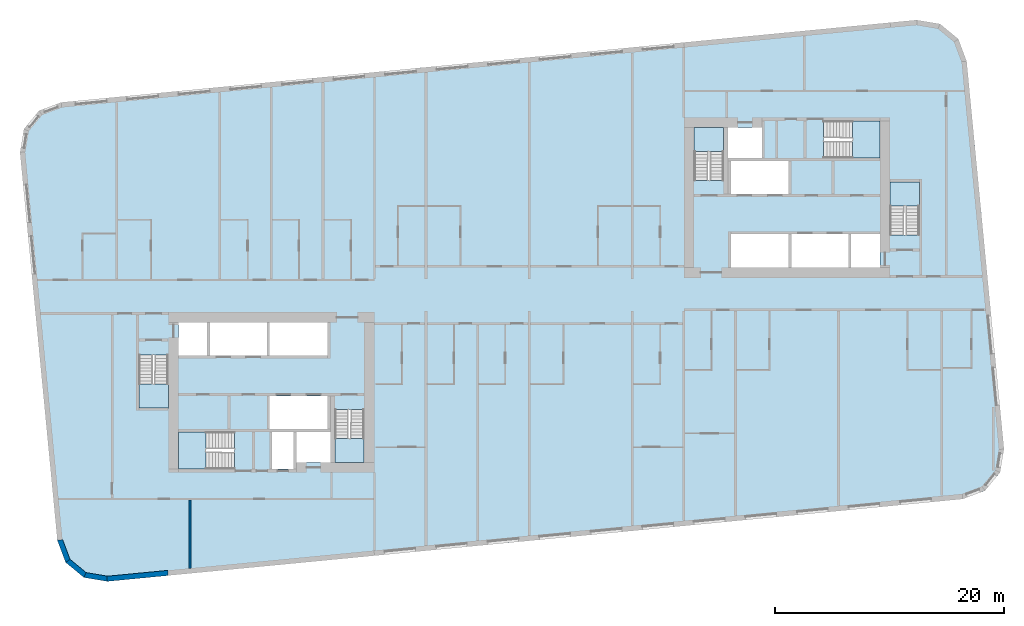
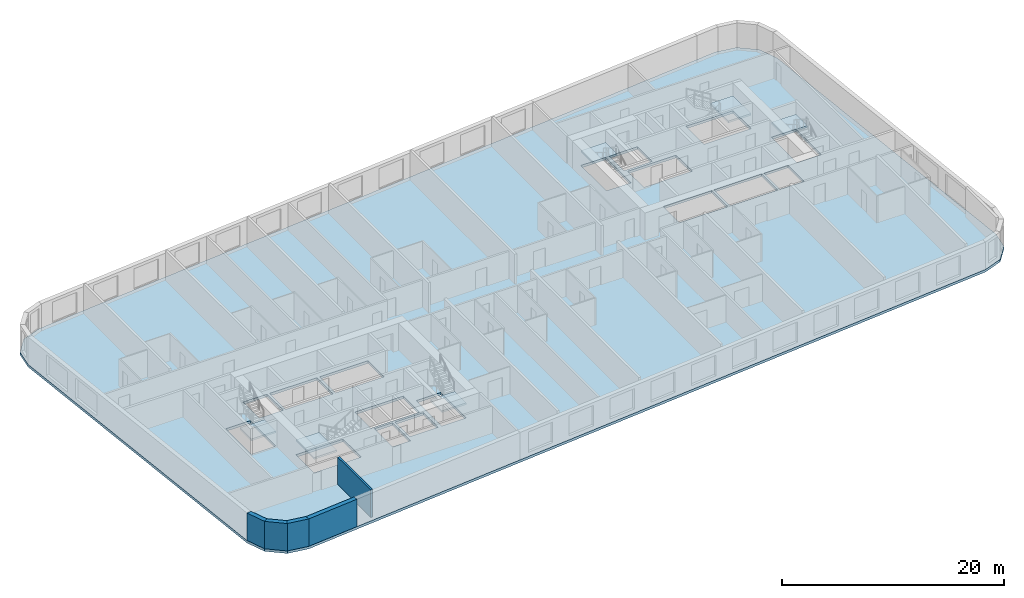
# One storey, part 1 of 12: 7 slabs, 5 walls, 6 elements without a shape of their own.
"""IFC4 building model written with IfcOpenShell, lengths in metres."""

from ifc_helpers import new_model, si_unit, direction, frame, frame_2d, origin, place, context, subcontext, project, spatial, polyline, rectangle, outline, extrude, material, layer, layer_set, type_object, element, aggregate, save


model = new_model("IFC4")

# Units and contexts
model_context = context("Model", 3, precision=1e-05, world=origin(), true_north=direction((0.0, 1.0)))
body_context = subcontext(model_context, "Body", "Model", "MODEL_VIEW")
ifc_project = project(units=[si_unit("LENGTHUNIT", "METRE"), si_unit("AREAUNIT", "SQUARE_METRE"), si_unit("VOLUMEUNIT", "CUBIC_METRE"), si_unit("PLANEANGLEUNIT", "RADIAN"), si_unit("MASSUNIT", "GRAM", prefix="KILO")], contexts=[model_context])

# Site, building, storey
site_placement = place(None, origin())
site = spatial("IfcSite", under=ifc_project, at=site_placement, CompositionType="ELEMENT")
building_placement = place(site_placement, origin())
building = spatial("IfcBuilding", under=site, at=building_placement, Name="Kajstack Hotel Tower", CompositionType="ELEMENT")
storey_placement = place(building_placement, frame((0.0, 0.0, 183.39990234375)))
storey = spatial("IfcBuildingStorey", under=building, at=storey_placement, Name="L43", CompositionType="ELEMENT", Elevation=183.39990234375)

# Slab
ifc_material_1 = material(Name="Concrete C40/50", Category="concrete")
ifc_layer_1 = layer(ifc_material_1, 0.280029296875)
ifc_layer_set_1 = layer_set([ifc_layer_1], Name="RC slab 280 C40/50 guest")
slab_type_1 = type_object("IfcSlabType", Name="RC slab 280 C40/50 guest", PredefinedType="FLOOR", material=ifc_layer_set_1)
slab_1_placement = place(storey_placement, frame((0.0, 0.0, -0.27978515625)))
element("IfcSlab", 1, at=slab_1_placement, inside=storey, type_object=slab_type_1, Name="S-slab-L43", PredefinedType="FLOOR", context=body_context, shape_type="SweptSolid", body=[
    extrude(outline(polyline([(-44.438232421875, 12.444091796875), (-41.1796875, -21.3994140625), (-40.454345703125, -23.3388671875), (-38.856689453125, -24.65576171875), (-36.814697265625, -24.99755859375), (37.840087890625, -17.80908203125), (39.779541015625, -17.083984375), (41.0966796875, -15.486328125), (41.438232421875, -13.444091796875), (38.1796875, 20.3994140625), (37.454345703125, 22.3388671875), (35.856689453125, 23.65576171875), (33.814697265625, 23.99755859375), (-40.840087890625, 16.80908203125), (-42.779541015625, 16.083984375), (-44.0966796875, 14.486328125), (-44.438232421875, 12.444091796875)]), holes=[polyline([(-22.64990234375, -11.699951171875), (-22.64990234375, -8.800048828125), (-17.60009765625, -8.800048828125), (-17.60009765625, -11.699951171875), (-22.64990234375, -11.699951171875)]), polyline([(-27.85009765625, -5.300048828125), (-27.85009765625, -2.39990234375), (-22.89990234375, -2.39990234375), (-22.89990234375, -5.300048828125), (-27.85009765625, -5.300048828125)]), polyline([(-22.64990234375, -5.300048828125), (-22.64990234375, -2.39990234375), (-17.60009765625, -2.39990234375), (-17.60009765625, -5.300048828125), (-22.64990234375, -5.300048828125)]), polyline([(-20.300048828125, -14.60009765625), (-17.35009765625, -14.60009765625), (-17.35009765625, -11.949951171875), (-20.300048828125, -11.949951171875), (-20.300048828125, -14.60009765625)]), polyline([(-30.60009765625, -5.300048828125), (-28.10009765625, -5.300048828125), (-28.10009765625, -2.39990234375), (-30.60009765625, -2.39990234375), (-30.60009765625, -5.300048828125)]), polyline([(17.60009765625, 8.800048828125), (17.60009765625, 11.699951171875), (22.64990234375, 11.699951171875), (22.64990234375, 8.800048828125), (17.60009765625, 8.800048828125)]), polyline([(22.89990234375, 2.39990234375), (22.89990234375, 5.300048828125), (27.85009765625, 5.300048828125), (27.85009765625, 2.39990234375), (22.89990234375, 2.39990234375)]), polyline([(17.60009765625, 2.39990234375), (17.60009765625, 5.300048828125), (22.64990234375, 5.300048828125), (22.64990234375, 2.39990234375), (17.60009765625, 2.39990234375)]), polyline([(20.300048828125, 14.60009765625), (17.35009765625, 14.60009765625), (17.35009765625, 11.949951171875), (20.300048828125, 11.949951171875), (20.300048828125, 14.60009765625)]), polyline([(30.60009765625, 5.300048828125), (28.10009765625, 5.300048828125), (28.10009765625, 2.39990234375), (30.60009765625, 2.39990234375), (30.60009765625, 5.300048828125)]), polyline([(-34.050048828125, -9.85009765625), (-31.5, -9.85009765625), (-31.5, -5.25), (-34.050048828125, -5.25), (-34.050048828125, -9.85009765625)]), polyline([(-16.949951171875, -14.60009765625), (-14.39990234375, -14.60009765625), (-14.39990234375, -10.0), (-16.949951171875, -10.0), (-16.949951171875, -14.60009765625)]), polyline([(-30.60009765625, -15.199951171875), (-25.699951171875, -15.199951171875), (-25.699951171875, -11.949951171875), (-30.60009765625, -11.949951171875), (-30.60009765625, -15.199951171875)]), polyline([(34.050048828125, 9.85009765625), (31.5, 9.85009765625), (31.5, 5.25), (34.050048828125, 5.25), (34.050048828125, 9.85009765625)]), polyline([(16.949951171875, 14.60009765625), (14.39990234375, 14.60009765625), (14.39990234375, 10.0), (16.949951171875, 10.0), (16.949951171875, 14.60009765625)]), polyline([(30.60009765625, 15.199951171875), (25.699951171875, 15.199951171875), (25.699951171875, 11.949951171875), (30.60009765625, 11.949951171875), (30.60009765625, 15.199951171875)]), polyline([(-22.425048828125, -15.199951171875), (-22.425048828125, -11.949951171875), (-20.550048828125, -11.949951171875), (-20.550048828125, -15.199951171875), (-22.425048828125, -15.199951171875)])]), origin(), (0.0, 0.0, 1.0), 0.27978515625),
])

# Stair, slab
stair_type_1 = type_object("IfcStairType", Name="Exit stair 1200", PredefinedType="HALF_TURN_STAIR", material=ifc_material_1)
stair_1_placement = place(storey_placement, origin())
stair_1 = element("IfcStair", 2, at=stair_1_placement, inside=storey, type_object=stair_type_1, Name="L43 stair W1", PredefinedType="HALF_TURN_STAIR")
ifc_layer_2 = layer(ifc_material_1, 0.199951171875)
ifc_layer_set_2 = layer_set([ifc_layer_2], Name="Stair landing 200")
slab_type_2 = type_object("IfcSlabType", Name="Stair landing 200", PredefinedType="LANDING", material=ifc_layer_set_2)
slab_2_placement = place(storey_placement, frame((0.0, 0.0, 1.4501953125)))
slab_2 = element("IfcSlab", 3, at=slab_2_placement, type_object=slab_type_2, Name="W1 landing 1", PredefinedType="LANDING", context=body_context, shape_type="SweptSolid", body=[
    extrude(outline(polyline([(-34.050048828125, -7.77001953125), (-34.050048828125, -9.85009765625), (-31.5, -9.85009765625), (-31.5, -7.77001953125), (-34.050048828125, -7.77001953125)])), origin(), (0.0, 0.0, 1.0), 0.199951171875),
])
aggregate(stair_1, [slab_2])

stair_2_placement = place(storey_placement, origin())
stair_2 = element("IfcStair", 4, at=stair_2_placement, inside=storey, type_object=stair_type_1, Name="L43 stair W2", PredefinedType="HALF_TURN_STAIR")
slab_3_placement = place(storey_placement, frame((0.0, 0.0, 1.4501953125)))
slab_3 = element("IfcSlab", 5, at=slab_3_placement, type_object=slab_type_2, Name="W2 landing 1", PredefinedType="LANDING", context=body_context, shape_type="SweptSolid", body=[
    extrude(outline(polyline([(-16.949951171875, -12.52001953125), (-16.949951171875, -14.60009765625), (-14.39990234375, -14.60009765625), (-14.39990234375, -12.52001953125), (-16.949951171875, -12.52001953125)])), origin(), (0.0, 0.0, 1.0), 0.199951171875),
])
aggregate(stair_2, [slab_3])

stair_type_2 = type_object("IfcStairType", Name="Exit stair 1500", PredefinedType="HALF_TURN_STAIR", material=ifc_material_1)
stair_3_placement = place(storey_placement, origin())
stair_3 = element("IfcStair", 6, at=stair_3_placement, inside=storey, type_object=stair_type_2, Name="L43 stair W3", PredefinedType="HALF_TURN_STAIR")
slab_4_placement = place(storey_placement, frame((0.0, 0.0, 1.4501953125)))
slab_4 = element("IfcSlab", 7, at=slab_4_placement, type_object=slab_type_2, Name="W3 landing 1", PredefinedType="LANDING", context=body_context, shape_type="SweptSolid", body=[
    extrude(outline(polyline([(-28.219970703125, -11.949951171875), (-30.60009765625, -11.949951171875), (-30.60009765625, -15.199951171875), (-28.219970703125, -15.199951171875), (-28.219970703125, -11.949951171875)])), origin(), (0.0, 0.0, 1.0), 0.199951171875),
])
aggregate(stair_3, [slab_4])

stair_4_placement = place(storey_placement, origin())
stair_4 = element("IfcStair", 8, at=stair_4_placement, inside=storey, type_object=stair_type_1, Name="L43 stair E1", PredefinedType="HALF_TURN_STAIR")
slab_5_placement = place(storey_placement, frame((0.0, 0.0, 1.4501953125)))
slab_5 = element("IfcSlab", 9, at=slab_5_placement, type_object=slab_type_2, Name="E1 landing 1", PredefinedType="LANDING", context=body_context, shape_type="SweptSolid", body=[
    extrude(outline(polyline([(34.050048828125, 7.77001953125), (34.050048828125, 9.85009765625), (31.5, 9.85009765625), (31.5, 7.77001953125), (34.050048828125, 7.77001953125)])), origin(), (0.0, 0.0, 1.0), 0.199951171875),
])
aggregate(stair_4, [slab_5])

stair_5_placement = place(storey_placement, origin())
stair_5 = element("IfcStair", 10, at=stair_5_placement, inside=storey, type_object=stair_type_1, Name="L43 stair E2", PredefinedType="HALF_TURN_STAIR")
slab_6_placement = place(storey_placement, frame((0.0, 0.0, 1.4501953125)))
slab_6 = element("IfcSlab", 11, at=slab_6_placement, type_object=slab_type_2, Name="E2 landing 1", PredefinedType="LANDING", context=body_context, shape_type="SweptSolid", body=[
    extrude(outline(polyline([(16.949951171875, 12.52001953125), (16.949951171875, 14.60009765625), (14.39990234375, 14.60009765625), (14.39990234375, 12.52001953125), (16.949951171875, 12.52001953125)])), origin(), (0.0, 0.0, 1.0), 0.199951171875),
])
aggregate(stair_5, [slab_6])

stair_6_placement = place(storey_placement, origin())
stair_6 = element("IfcStair", 12, at=stair_6_placement, inside=storey, type_object=stair_type_2, Name="L43 stair E3", PredefinedType="HALF_TURN_STAIR")
slab_7_placement = place(storey_placement, frame((0.0, 0.0, 1.4501953125)))
slab_7 = element("IfcSlab", 13, at=slab_7_placement, type_object=slab_type_2, Name="E3 landing 1", PredefinedType="LANDING", context=body_context, shape_type="SweptSolid", body=[
    extrude(outline(polyline([(28.219970703125, 11.949951171875), (30.60009765625, 11.949951171875), (30.60009765625, 15.199951171875), (28.219970703125, 15.199951171875), (28.219970703125, 11.949951171875)])), origin(), (0.0, 0.0, 1.0), 0.199951171875),
])
aggregate(stair_6, [slab_7])

# Walls
ifc_material_2 = material(Name="Terracotta-faced brick masonry", Category="masonry")
ifc_layer_3 = layer(ifc_material_2, 0.449951171875)
ifc_layer_set_3 = layer_set([ifc_layer_3], Name="EW-TERRA")
wall_type_1 = type_object("IfcWallType", Name="EW-TERRA", PredefinedType="SOLIDWALL", material=ifc_layer_set_3)
wall_1_placement = place(storey_placement, frame((-40.96875, -21.320556640625, 0.0), z_axis=(0.0, 0.0, 1.0), x_axis=(0.350192909346, -0.936677599948, 0.0)))
element("IfcWall", 14, at=wall_1_placement, inside=storey, type_object=wall_type_1, Name="E-wall-L43-01-00", PredefinedType="SOLIDWALL", context=body_context, shape_type="SweptSolid", body=[
    extrude(outline(polyline([(0.0, -0.22509765625), (2.070556640625, -0.22509765625), (1.949951171875, 0.22509765625), (0.12060546875, 0.224853515625), (0.0, -0.22509765625)])), origin(), (0.0, 0.0, 1.0), 3.02001953125),
])
wall_2_placement = place(storey_placement, frame((-40.311279296875, -23.165283203125, 0.0), z_axis=(0.0, 0.0, 1.0), x_axis=(0.771651049663, -0.636046112757, 0.0)))
element("IfcWall", 15, at=wall_2_placement, inside=storey, type_object=wall_type_1, Name="E-wall-L43-02-00", PredefinedType="SOLIDWALL", context=body_context, shape_type="SweptSolid", body=[
    extrude(outline(polyline([(0.0, -0.224853515625), (2.0703125, -0.22509765625), (1.94970703125, 0.224853515625), (0.12060546875, 0.22509765625), (0.0, -0.224853515625)])), origin(), (0.0, 0.0, 1.0), 3.02001953125),
])
wall_3_placement = place(storey_placement, frame((-38.819580078125, -24.433837890625, 0.0), z_axis=(0.0, 0.0, 1.0), x_axis=(0.986278951104, -0.165087342366, 0.0)))
element("IfcWall", 16, at=wall_3_placement, inside=storey, type_object=wall_type_1, Name="E-wall-L43-03-00", PredefinedType="SOLIDWALL", context=body_context, shape_type="SweptSolid", body=[
    extrude(outline(polyline([(0.0, -0.22509765625), (2.070556640625, -0.224853515625), (1.949951171875, 0.22509765625), (0.12060546875, 0.224853515625), (0.0, -0.22509765625)])), origin(), (0.0, 0.0, 1.0), 3.02001953125),
])
wall_4_placement = place(storey_placement, frame((-36.836181640625, -24.7734375, 0.0), z_axis=(0.0, 0.0, 1.0), x_axis=(0.995396705659, 0.095840483948, 0.0)))
element("IfcWall", 17, at=wall_4_placement, inside=storey, type_object=wall_type_1, Name="E-wall-L43-04-00", PredefinedType="SOLIDWALL", context=body_context, shape_type="SweptSolid", body=[
    extrude(rectangle(XDim=5.33935546875, YDim=0.449951171875, at=frame_2d((2.669677734375, 0.0))), origin(), (0.0, 0.0, 1.0), 3.02001953125),
])
ifc_material_3 = material(Name="Gypsum board on steel studs, mineral wool", Category="steel")
ifc_layer_4 = layer(ifc_material_3, 0.199951171875)
ifc_layer_set_4 = layer_set([ifc_layer_4], Name="Service partition 200")
wall_type_2 = type_object("IfcWallType", Name="Service partition 200", PredefinedType="PARTITIONING", material=ifc_layer_set_4)
wall_5_placement = place(storey_placement, frame((-29.60009765625, -23.851806640625, 0.0), z_axis=(0.0, 0.0, 1.0), x_axis=(0.0, 1.0, 0.0)))
element("IfcWall", 18, at=wall_5_placement, inside=storey, type_object=wall_type_2, Name="Partition W SLP0", PredefinedType="PARTITIONING", context=body_context, shape_type="SweptSolid", body=[
    extrude(rectangle(XDim=5.951904296875, YDim=0.199951171875, at=frame_2d((2.97607421875, 0.0))), origin(), (0.0, 0.0, 1.0), 3.02001953125),
])

save(model, "model.ifc")
